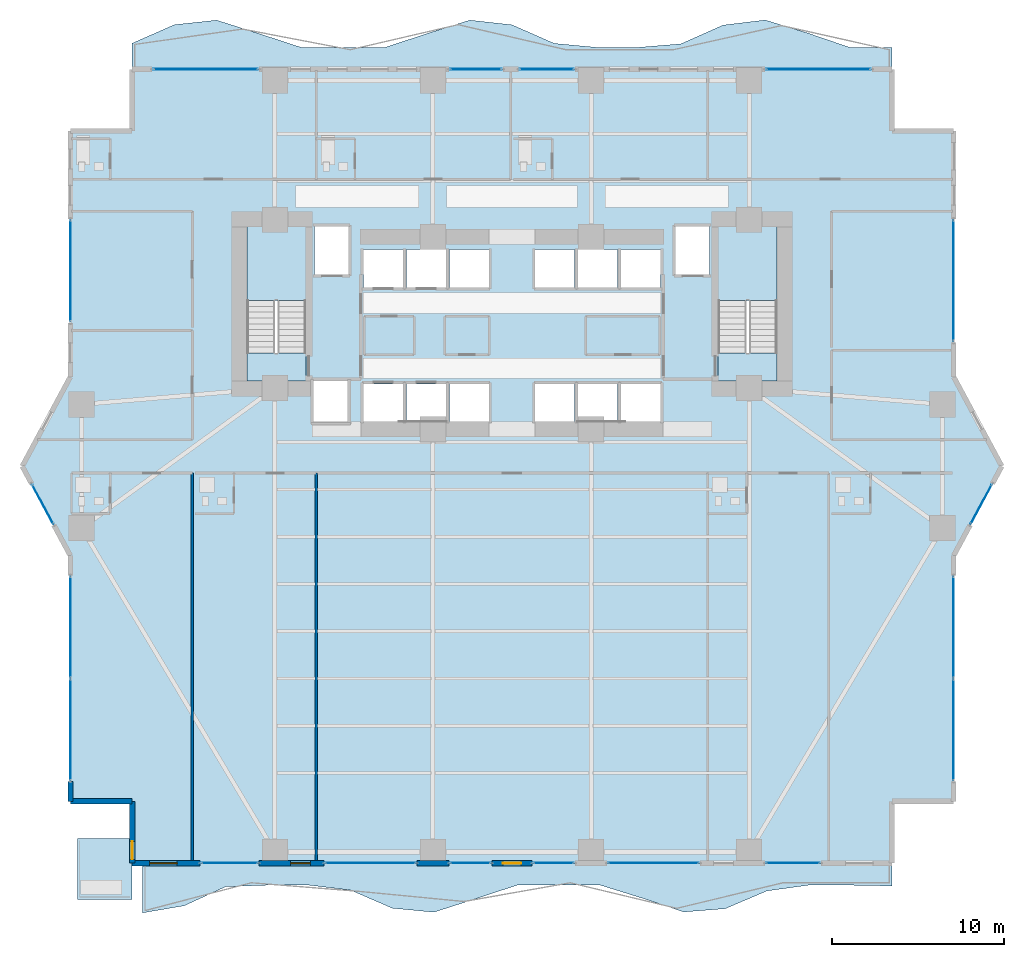
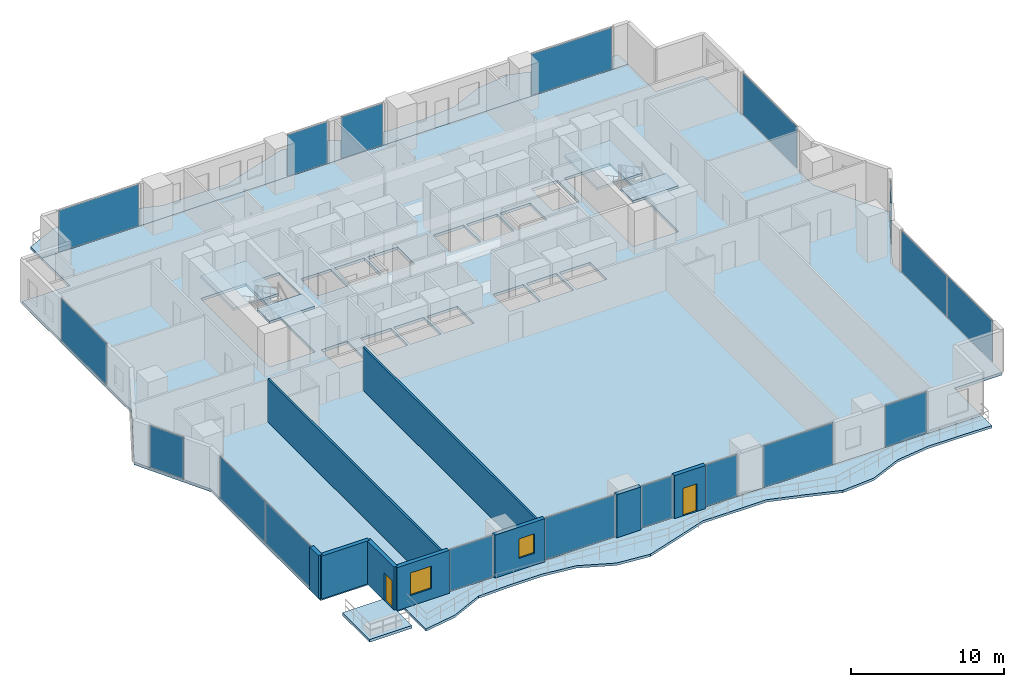
# One storey, part 18 of 28: 18 plates, 9 walls, 8 slabs, 2 doors, 2 windows, 4 openings, 18 elements without a shape of their own.
"""IFC4 building model written with IfcOpenShell, lengths in metres."""

from ifc_helpers import new_model, si_unit, direction, frame, frame_2d, origin, origin_2d, place, context, subcontext, project, spatial, polyline, rectangle, outline, extrude, material, layer, layer_set, type_object, element, fill, aggregate, save


model = new_model("IFC4")

# Units and contexts
model_context = context("Model", 3, precision=1e-05, world=origin(), true_north=direction((0.0, 1.0)))
body_context = subcontext(model_context, "Body", "Model", "MODEL_VIEW")
ifc_project = project(units=[si_unit("LENGTHUNIT", "METRE"), si_unit("AREAUNIT", "SQUARE_METRE"), si_unit("VOLUMEUNIT", "CUBIC_METRE"), si_unit("PLANEANGLEUNIT", "RADIAN"), si_unit("MASSUNIT", "GRAM", prefix="KILO")], contexts=[model_context])

# Site, building, storey
site_placement = place(None, origin())
site = spatial("IfcSite", under=ifc_project, at=site_placement, CompositionType="ELEMENT")
building_placement = place(site_placement, origin())
building = spatial("IfcBuilding", under=site, at=building_placement, Name="Zuhayl Quay Hotel", CompositionType="ELEMENT")
storey_placement = place(building_placement, frame((0.0, 0.0, 71.39990234375)))
storey = spatial("IfcBuildingStorey", under=building, at=storey_placement, Name="L17", CompositionType="ELEMENT", Elevation=71.39990234375)

# Curtain wall, plates
ifc_material_1 = material(Name="Anodised Aluminium 6063-T6", Category="aluminium")
ifc_layer_1 = layer(ifc_material_1, 0.18994140625, Name="Anodised Aluminium 6063-T6", Category="aluminium")
ifc_layer_set_1 = layer_set([ifc_layer_1], Name="Anodised Aluminium 6063-T6")
curtain_wall_type = type_object("IfcCurtainWallType", Name="CW_SYS_Z1", PredefinedType="USERDEFINED", material=ifc_layer_set_1)
curtain_wall_1_placement = place(storey_placement, origin())
curtain_wall_1 = element("IfcCurtainWall", 1, at=curtain_wall_1_placement, inside=storey, type_object=curtain_wall_type, Name="L17 Curtain Wall ENV_L17_E02_CW1", ObjectType="UNITISED CURTAIN WALL", PredefinedType="USERDEFINED")
ifc_material_2 = material(Name="Dark Ceramic-Fritted Solar Glass", Category="glass")
ifc_layer_2 = layer(ifc_material_2, 0.035888671875, Name="Dark Ceramic-Fritted Solar Glass", Category="glass")
ifc_layer_set_2 = layer_set([ifc_layer_2], Name="Dark Ceramic-Fritted Solar Glass")
plate_type = type_object("IfcPlateType", Name="PN_DARK_FRIT_Z1", PredefinedType="CURTAIN_PANEL", material=ifc_layer_set_2)
plate_1_placement = place(storey_placement, frame((-25.699951171875, -15.331298828125, 0.06005859375), z_axis=(0.0, 0.0, 1.0), x_axis=(0.0, 1.0, 0.0)))
plate_1 = element("IfcPlate", 2, at=plate_1_placement, type_object=plate_type, Name="CW-Z1 panel 1.1", PredefinedType="CURTAIN_PANEL", context=body_context, shape_type="SweptSolid", body=[
    extrude(rectangle(XDim=5.887451171875, YDim=0.035888671875, at=origin_2d()), origin(), (0.0, 0.0, 1.0), 3.31005859375),
])
plate_2_placement = place(storey_placement, frame((-25.699951171875, -9.36865234375, 0.06005859375), z_axis=(0.0, 0.0, 1.0), x_axis=(0.0, 1.0, 0.0)))
plate_2 = element("IfcPlate", 3, at=plate_2_placement, type_object=plate_type, Name="CW-Z1 panel 2.1", PredefinedType="CURTAIN_PANEL", context=body_context, shape_type="SweptSolid", body=[
    extrude(rectangle(XDim=5.887451171875, YDim=0.035888671875, at=origin_2d()), origin(), (0.0, 0.0, 1.0), 3.31005859375),
])
aggregate(curtain_wall_1, [plate_1, plate_2])

# Curtain wall, plate
curtain_wall_2_placement = place(storey_placement, origin())
curtain_wall_2 = element("IfcCurtainWall", 4, at=curtain_wall_2_placement, inside=storey, type_object=curtain_wall_type, Name="L17 Curtain Wall ENV_L17_E03_CW1", ObjectType="UNITISED CURTAIN WALL", PredefinedType="USERDEFINED")
plate_3_placement = place(storey_placement, frame((-27.306396484375, -2.216796875, 0.06005859375), z_axis=(0.0, 0.0, 1.0), x_axis=(-0.474091102632, 0.880475795468, 0.0)))
plate_3 = element("IfcPlate", 5, at=plate_3_placement, type_object=plate_type, Name="CW-Z1 panel 1.1", PredefinedType="CURTAIN_PANEL", context=body_context, shape_type="SweptSolid", body=[
    extrude(rectangle(XDim=2.58544921875, YDim=0.035888671875, at=origin_2d()), origin(), (0.0, 0.0, 1.0), 3.31005859375),
])
aggregate(curtain_wall_2, [plate_3])

curtain_wall_3_placement = place(storey_placement, origin())
curtain_wall_3 = element("IfcCurtainWall", 6, at=curtain_wall_3_placement, inside=storey, type_object=curtain_wall_type, Name="L17 Curtain Wall ENV_L17_E05_CW1", ObjectType="UNITISED CURTAIN WALL", PredefinedType="USERDEFINED")
plate_4_placement = place(storey_placement, frame((-25.699951171875, 11.375, 0.06005859375), z_axis=(0.0, 0.0, 1.0), x_axis=(0.0, 1.0, 0.0)))
plate_4 = element("IfcPlate", 7, at=plate_4_placement, type_object=plate_type, Name="CW-Z1 panel 1.1", PredefinedType="CURTAIN_PANEL", context=body_context, shape_type="SweptSolid", body=[
    extrude(rectangle(XDim=5.89990234375, YDim=0.035888671875, at=origin_2d()), origin(), (0.0, 0.0, 1.0), 3.31005859375),
])
aggregate(curtain_wall_3, [plate_4])

curtain_wall_4_placement = place(storey_placement, origin())
curtain_wall_4 = element("IfcCurtainWall", 8, at=curtain_wall_4_placement, inside=storey, type_object=curtain_wall_type, Name="L17 Curtain Wall ENV_L17_N_CW1", ObjectType="UNITISED CURTAIN WALL", PredefinedType="USERDEFINED")
plate_5_placement = place(storey_placement, frame((-17.8349609375, 23.10009765625, 0.06005859375), z_axis=(0.0, 0.0, 1.0), x_axis=(1.0, 0.0, 0.0)))
plate_5 = element("IfcPlate", 9, at=plate_5_placement, type_object=plate_type, Name="CW-Z1 panel 1.1", PredefinedType="CURTAIN_PANEL", context=body_context, shape_type="SweptSolid", body=[
    extrude(rectangle(XDim=6.080078125, YDim=0.035888671875, at=origin_2d()), origin(), (0.0, 0.0, 1.0), 3.31005859375),
])
aggregate(curtain_wall_4, [plate_5])

curtain_wall_5_placement = place(storey_placement, origin())
curtain_wall_5 = element("IfcCurtainWall", 10, at=curtain_wall_5_placement, inside=storey, type_object=curtain_wall_type, Name="L17 Curtain Wall ENV_L17_N_CW2", ObjectType="UNITISED CURTAIN WALL", PredefinedType="USERDEFINED")
plate_6_placement = place(storey_placement, frame((-2.10498046875, 23.10009765625, 0.06005859375), z_axis=(0.0, 0.0, 1.0), x_axis=(1.0, 0.0, 0.0)))
plate_6 = element("IfcPlate", 11, at=plate_6_placement, type_object=plate_type, Name="CW-Z1 panel 1.1", PredefinedType="CURTAIN_PANEL", context=body_context, shape_type="SweptSolid", body=[
    extrude(rectangle(XDim=3.0, YDim=0.035888671875, at=origin_2d()), origin(), (0.0, 0.0, 1.0), 3.31005859375),
])
aggregate(curtain_wall_5, [plate_6])

curtain_wall_6_placement = place(storey_placement, origin())
curtain_wall_6 = element("IfcCurtainWall", 12, at=curtain_wall_6_placement, inside=storey, type_object=curtain_wall_type, Name="L17 Curtain Wall ENV_L17_N_CW3", ObjectType="UNITISED CURTAIN WALL", PredefinedType="USERDEFINED")
plate_7_placement = place(storey_placement, frame((2.02490234375, 23.10009765625, 0.06005859375), z_axis=(0.0, 0.0, 1.0), x_axis=(1.0, 0.0, 0.0)))
plate_7 = element("IfcPlate", 13, at=plate_7_placement, type_object=plate_type, Name="CW-Z1 panel 1.1", PredefinedType="CURTAIN_PANEL", context=body_context, shape_type="SweptSolid", body=[
    extrude(rectangle(XDim=3.159912109375, YDim=0.035888671875, at=origin_2d()), origin(), (0.0, 0.0, 1.0), 3.31005859375),
])
aggregate(curtain_wall_6, [plate_7])

curtain_wall_7_placement = place(storey_placement, origin())
curtain_wall_7 = element("IfcCurtainWall", 14, at=curtain_wall_7_placement, inside=storey, type_object=curtain_wall_type, Name="L17 Curtain Wall ENV_L17_N_CW4", ObjectType="UNITISED CURTAIN WALL", PredefinedType="USERDEFINED")
plate_8_placement = place(storey_placement, frame((17.8349609375, 23.10009765625, 0.06005859375), z_axis=(0.0, 0.0, 1.0), x_axis=(1.0, 0.0, 0.0)))
plate_8 = element("IfcPlate", 15, at=plate_8_placement, type_object=plate_type, Name="CW-Z1 panel 1.1", PredefinedType="CURTAIN_PANEL", context=body_context, shape_type="SweptSolid", body=[
    extrude(rectangle(XDim=6.080078125, YDim=0.035888671875, at=origin_2d()), origin(), (0.0, 0.0, 1.0), 3.31005859375),
])
aggregate(curtain_wall_7, [plate_8])

curtain_wall_8_placement = place(storey_placement, origin())
curtain_wall_8 = element("IfcCurtainWall", 16, at=curtain_wall_8_placement, inside=storey, type_object=curtain_wall_type, Name="L17 Curtain Wall ENV_L17_E11_CW1", ObjectType="UNITISED CURTAIN WALL", PredefinedType="USERDEFINED")
plate_9_placement = place(storey_placement, frame((25.699951171875, 10.800048828125, 0.06005859375), z_axis=(0.0, 0.0, 1.0), x_axis=(0.0, -1.0, 0.0)))
plate_9 = element("IfcPlate", 17, at=plate_9_placement, type_object=plate_type, Name="CW-Z1 panel 1.1", PredefinedType="CURTAIN_PANEL", context=body_context, shape_type="SweptSolid", body=[
    extrude(rectangle(XDim=7.050048828125, YDim=0.035888671875, at=origin_2d()), origin(), (0.0, 0.0, 1.0), 3.31005859375),
])
aggregate(curtain_wall_8, [plate_9])

curtain_wall_9_placement = place(storey_placement, origin())
curtain_wall_9 = element("IfcCurtainWall", 18, at=curtain_wall_9_placement, inside=storey, type_object=curtain_wall_type, Name="L17 Curtain Wall ENV_L17_E13_CW1", ObjectType="UNITISED CURTAIN WALL", PredefinedType="USERDEFINED")
plate_10_placement = place(storey_placement, frame((27.306396484375, -2.216796875, 0.06005859375), z_axis=(0.0, 0.0, 1.0), x_axis=(-0.474091102632, -0.880475795468, 0.0)))
plate_10 = element("IfcPlate", 19, at=plate_10_placement, type_object=plate_type, Name="CW-Z1 panel 1.1", PredefinedType="CURTAIN_PANEL", context=body_context, shape_type="SweptSolid", body=[
    extrude(rectangle(XDim=2.58544921875, YDim=0.035888671875, at=origin_2d()), origin(), (0.0, 0.0, 1.0), 3.31005859375),
])
aggregate(curtain_wall_9, [plate_10])

# Curtain wall, plates
curtain_wall_10_placement = place(storey_placement, origin())
curtain_wall_10 = element("IfcCurtainWall", 20, at=curtain_wall_10_placement, inside=storey, type_object=curtain_wall_type, Name="L17 Curtain Wall ENV_L17_E14_CW1", ObjectType="UNITISED CURTAIN WALL", PredefinedType="USERDEFINED")
plate_11_placement = place(storey_placement, frame((25.699951171875, -9.36865234375, 0.06005859375), z_axis=(0.0, 0.0, 1.0), x_axis=(0.0, -1.0, 0.0)))
plate_11 = element("IfcPlate", 21, at=plate_11_placement, type_object=plate_type, Name="CW-Z1 panel 1.1", PredefinedType="CURTAIN_PANEL", context=body_context, shape_type="SweptSolid", body=[
    extrude(rectangle(XDim=5.887451171875, YDim=0.035888671875, at=origin_2d()), origin(), (0.0, 0.0, 1.0), 3.31005859375),
])
plate_12_placement = place(storey_placement, frame((25.699951171875, -15.331298828125, 0.06005859375), z_axis=(0.0, 0.0, 1.0), x_axis=(0.0, -1.0, 0.0)))
plate_12 = element("IfcPlate", 22, at=plate_12_placement, type_object=plate_type, Name="CW-Z1 panel 2.1", PredefinedType="CURTAIN_PANEL", context=body_context, shape_type="SweptSolid", body=[
    extrude(rectangle(XDim=5.887451171875, YDim=0.035888671875, at=origin_2d()), origin(), (0.0, 0.0, 1.0), 3.31005859375),
])
aggregate(curtain_wall_10, [plate_11, plate_12])

# Curtain wall, plate
curtain_wall_11_placement = place(storey_placement, origin())
curtain_wall_11 = element("IfcCurtainWall", 23, at=curtain_wall_11_placement, inside=storey, type_object=curtain_wall_type, Name="L17 Curtain Wall ENV_L17_S_CW1", ObjectType="UNITISED CURTAIN WALL", PredefinedType="USERDEFINED")
plate_13_placement = place(storey_placement, frame((16.35498046875, -23.10009765625, 0.06005859375), z_axis=(0.0, 0.0, 1.0), x_axis=(-1.0, 0.0, 0.0)))
plate_13 = element("IfcPlate", 24, at=plate_13_placement, type_object=plate_type, Name="CW-Z1 panel 1.1", PredefinedType="CURTAIN_PANEL", context=body_context, shape_type="SweptSolid", body=[
    extrude(rectangle(XDim=3.1201171875, YDim=0.035888671875, at=origin_2d()), origin(), (0.0, 0.0, 1.0), 3.31005859375),
])
aggregate(curtain_wall_11, [plate_13])

curtain_wall_12_placement = place(storey_placement, origin())
curtain_wall_12 = element("IfcCurtainWall", 25, at=curtain_wall_12_placement, inside=storey, type_object=curtain_wall_type, Name="L17 Curtain Wall ENV_L17_S_CW2", ObjectType="UNITISED CURTAIN WALL", PredefinedType="USERDEFINED")
plate_14_placement = place(storey_placement, frame((8.235107421875, -23.10009765625, 0.06005859375), z_axis=(0.0, 0.0, 1.0), x_axis=(-1.0, 0.0, 0.0)))
plate_14 = element("IfcPlate", 26, at=plate_14_placement, type_object=plate_type, Name="CW-Z1 panel 1.1", PredefinedType="CURTAIN_PANEL", context=body_context, shape_type="SweptSolid", body=[
    extrude(rectangle(XDim=5.280029296875, YDim=0.035888671875, at=origin_2d()), origin(), (0.0, 0.0, 1.0), 3.31005859375),
])
aggregate(curtain_wall_12, [plate_14])

curtain_wall_13_placement = place(storey_placement, origin())
curtain_wall_13 = element("IfcCurtainWall", 27, at=curtain_wall_13_placement, inside=storey, type_object=curtain_wall_type, Name="L17 Curtain Wall ENV_L17_S_CW3", ObjectType="UNITISED CURTAIN WALL", PredefinedType="USERDEFINED")
plate_15_placement = place(storey_placement, frame((2.427490234375, -23.10009765625, 0.06005859375), z_axis=(0.0, 0.0, 1.0), x_axis=(-1.0, 0.0, 0.0)))
plate_15 = element("IfcPlate", 28, at=plate_15_placement, type_object=plate_type, Name="CW-Z1 panel 1.1", PredefinedType="CURTAIN_PANEL", context=body_context, shape_type="SweptSolid", body=[
    extrude(rectangle(XDim=2.35498046875, YDim=0.035888671875, at=origin_2d()), origin(), (0.0, 0.0, 1.0), 3.31005859375),
])
aggregate(curtain_wall_13, [plate_15])

curtain_wall_14_placement = place(storey_placement, origin())
curtain_wall_14 = element("IfcCurtainWall", 29, at=curtain_wall_14_placement, inside=storey, type_object=curtain_wall_type, Name="L17 Curtain Wall ENV_L17_S_CW4", ObjectType="UNITISED CURTAIN WALL", PredefinedType="USERDEFINED")
plate_16_placement = place(storey_placement, frame((-2.427490234375, -23.10009765625, 0.06005859375), z_axis=(0.0, 0.0, 1.0), x_axis=(-1.0, 0.0, 0.0)))
plate_16 = element("IfcPlate", 30, at=plate_16_placement, type_object=plate_type, Name="CW-Z1 panel 1.1", PredefinedType="CURTAIN_PANEL", context=body_context, shape_type="SweptSolid", body=[
    extrude(rectangle(XDim=2.35498046875, YDim=0.035888671875, at=origin_2d()), origin(), (0.0, 0.0, 1.0), 3.31005859375),
])
aggregate(curtain_wall_14, [plate_16])

curtain_wall_15_placement = place(storey_placement, origin())
curtain_wall_15 = element("IfcCurtainWall", 31, at=curtain_wall_15_placement, inside=storey, type_object=curtain_wall_type, Name="L17 Curtain Wall ENV_L17_S_CW5", ObjectType="UNITISED CURTAIN WALL", PredefinedType="USERDEFINED")
plate_17_placement = place(storey_placement, frame((-8.235107421875, -23.10009765625, 0.06005859375), z_axis=(0.0, 0.0, 1.0), x_axis=(-1.0, 0.0, 0.0)))
plate_17 = element("IfcPlate", 32, at=plate_17_placement, type_object=plate_type, Name="CW-Z1 panel 1.1", PredefinedType="CURTAIN_PANEL", context=body_context, shape_type="SweptSolid", body=[
    extrude(rectangle(XDim=5.280029296875, YDim=0.035888671875, at=origin_2d()), origin(), (0.0, 0.0, 1.0), 3.31005859375),
])
aggregate(curtain_wall_15, [plate_17])

curtain_wall_16_placement = place(storey_placement, origin())
curtain_wall_16 = element("IfcCurtainWall", 33, at=curtain_wall_16_placement, inside=storey, type_object=curtain_wall_type, Name="L17 Curtain Wall ENV_L17_S_CW6", ObjectType="UNITISED CURTAIN WALL", PredefinedType="USERDEFINED")
plate_18_placement = place(storey_placement, frame((-16.43505859375, -23.10009765625, 0.06005859375), z_axis=(0.0, 0.0, 1.0), x_axis=(-1.0, 0.0, 0.0)))
plate_18 = element("IfcPlate", 34, at=plate_18_placement, type_object=plate_type, Name="CW-Z1 panel 1.1", PredefinedType="CURTAIN_PANEL", context=body_context, shape_type="SweptSolid", body=[
    extrude(rectangle(XDim=3.280029296875, YDim=0.035888671875, at=origin_2d()), origin(), (0.0, 0.0, 1.0), 3.31005859375),
])
aggregate(curtain_wall_16, [plate_18])

# Slabs
ifc_material_3 = material(Name="Concrete C45/55", Category="concrete")
ifc_layer_3 = layer(ifc_material_3, 0.195068359375, Name="Concrete C45/55", Category="concrete")
ifc_layer_set_3 = layer_set([ifc_layer_3], Name="Concrete C45/55")
slab_type_1 = type_object("IfcSlabType", Name="SL_BALCONY_195", PredefinedType="FLOOR", material=ifc_layer_set_3)
slab_1_placement = place(storey_placement, frame((0.0, 0.0, -0.19482421875)))
element("IfcSlab", 35, at=slab_1_placement, inside=storey, type_object=slab_type_1, Name="L17 Exterior Rippling Balcony Slab North", PredefinedType="FLOOR", context=body_context, shape_type="SweptSolid", body=[
    extrude(outline(polyline([(-22.10009765625, 23.10009765625), (22.10009765625, 23.10009765625), (22.10009765625, 24.3798828125), (19.644287109375, 24.3798828125), (17.18896484375, 25.21826171875), (14.7333984375, 25.96923828125), (12.27783203125, 25.671630859375), (9.822265625, 24.581298828125), (7.36669921875, 24.3798828125), (4.9111328125, 24.3798828125), (2.45556640625, 24.6083984375), (0.0, 25.689697265625), (-2.45556640625, 25.962890625), (-4.9111328125, 25.19287109375), (-7.36669921875, 24.3798828125), (-9.822265625, 24.3798828125), (-12.27783203125, 24.3798828125), (-14.7333984375, 25.1826171875), (-17.18896484375, 25.960205078125), (-19.644287109375, 25.697021484375), (-22.10009765625, 24.619384765625), (-22.10009765625, 23.10009765625)])), origin(), (0.0, 0.0, 1.0), 0.19482421875),
])
slab_2_placement = place(storey_placement, frame((0.0, 0.0, -0.19482421875)))
element("IfcSlab", 36, at=slab_2_placement, inside=storey, type_object=slab_type_1, Name="L17 Exterior Rippling Balcony Slab South", PredefinedType="FLOOR", context=body_context, shape_type="SweptSolid", body=[
    extrude(outline(polyline([(-21.5, -25.9931640625), (-19.077880859375, -25.578369140625), (-16.655517578125, -24.46875), (-14.2333984375, -24.3798828125), (-11.81103515625, -24.3798828125), (-9.388916015625, -24.673583984375), (-6.966796875, -25.721435546875), (-4.54443359375, -25.95458984375), (-2.122314453125, -25.177490234375), (0.300048828125, -24.3798828125), (2.72216796875, -24.3798828125), (5.144287109375, -24.3798828125), (7.566650390625, -25.13623046875), (9.989013671875, -25.942138671875), (12.4111328125, -25.748291015625), (14.833251953125, -24.71728515625), (17.255615234375, -24.3798828125), (19.677734375, -24.3798828125), (22.10009765625, -24.426513671875), (22.10009765625, -23.10009765625), (-21.5, -23.10009765625), (-21.5, -25.9931640625)])), origin(), (0.0, 0.0, 1.0), 0.19482421875),
])
ifc_layer_4 = layer(ifc_material_3, 0.219970703125, Name="Concrete C45/55", Category="concrete")
ifc_layer_set_4 = layer_set([ifc_layer_4], Name="Concrete C45/55")
slab_type_2 = type_object("IfcSlabType", Name="SL_FLOOR_220", PredefinedType="FLOOR", material=ifc_layer_set_4)
slab_3_placement = place(storey_placement, frame((0.0, 0.0, -0.219970703125)))
element("IfcSlab", 37, at=slab_3_placement, inside=storey, type_object=slab_type_2, Name="L17 Structural Floor Slab", PredefinedType="FLOOR", context=body_context, shape_type="SweptSolid", body=[
    extrude(outline(polyline([(-22.10009765625, -23.10009765625), (22.10009765625, -23.10009765625), (22.10009765625, -19.5), (25.699951171875, -19.5), (25.699951171875, -5.199951171875), (28.5, 0.0), (25.699951171875, 5.199951171875), (25.699951171875, 19.5), (22.10009765625, 19.5), (22.10009765625, 23.10009765625), (-22.10009765625, 23.10009765625), (-22.10009765625, 19.5), (-25.699951171875, 19.5), (-25.699951171875, 5.199951171875), (-28.5, 0.0), (-25.699951171875, -5.199951171875), (-25.699951171875, -19.5), (-22.10009765625, -19.5), (-22.10009765625, -23.10009765625)]), holes=[polyline([(-12.0, 4.949951171875), (-12.0, 13.949951171875), (-15.429931640625, 13.949951171875), (-15.429931640625, 4.949951171875), (-12.0, 4.949951171875)]), polyline([(15.429931640625, 4.949951171875), (15.429931640625, 13.949951171875), (12.0, 13.949951171875), (12.0, 4.949951171875), (15.429931640625, 4.949951171875)]), polyline([(-11.5, 11.14990234375), (-9.5, 11.14990234375), (-9.5, 13.949951171875), (-11.5, 13.949951171875), (-11.5, 11.14990234375)]), polyline([(9.5, 11.14990234375), (11.5, 11.14990234375), (11.5, 13.949951171875), (9.5, 13.949951171875), (9.5, 11.14990234375)]), polyline([(-8.64990234375, 2.60009765625), (-6.35009765625, 2.60009765625), (-6.35009765625, 4.800048828125), (-8.64990234375, 4.800048828125), (-8.64990234375, 2.60009765625)]), polyline([(-6.14990234375, 2.60009765625), (-3.85009765625, 2.60009765625), (-3.85009765625, 4.800048828125), (-6.14990234375, 4.800048828125), (-6.14990234375, 2.60009765625)]), polyline([(-8.64990234375, 10.39990234375), (-6.35009765625, 10.39990234375), (-6.35009765625, 12.60009765625), (-8.64990234375, 12.60009765625), (-8.64990234375, 10.39990234375)]), polyline([(-6.14990234375, 10.39990234375), (-3.85009765625, 10.39990234375), (-3.85009765625, 12.60009765625), (-6.14990234375, 12.60009765625), (-6.14990234375, 10.39990234375)]), polyline([(-3.64990234375, 2.60009765625), (-1.35009765625, 2.60009765625), (-1.35009765625, 4.800048828125), (-3.64990234375, 4.800048828125), (-3.64990234375, 2.60009765625)]), polyline([(1.35009765625, 2.60009765625), (3.64990234375, 2.60009765625), (3.64990234375, 4.800048828125), (1.35009765625, 4.800048828125), (1.35009765625, 2.60009765625)]), polyline([(-3.64990234375, 10.39990234375), (-1.35009765625, 10.39990234375), (-1.35009765625, 12.60009765625), (-3.64990234375, 12.60009765625), (-3.64990234375, 10.39990234375)]), polyline([(1.35009765625, 10.39990234375), (3.64990234375, 10.39990234375), (3.64990234375, 12.60009765625), (1.35009765625, 12.60009765625), (1.35009765625, 10.39990234375)]), polyline([(3.85009765625, 2.60009765625), (6.14990234375, 2.60009765625), (6.14990234375, 4.800048828125), (3.85009765625, 4.800048828125), (3.85009765625, 2.60009765625)]), polyline([(6.35009765625, 2.60009765625), (8.64990234375, 2.60009765625), (8.64990234375, 4.800048828125), (6.35009765625, 4.800048828125), (6.35009765625, 2.60009765625)]), polyline([(3.85009765625, 10.39990234375), (6.14990234375, 10.39990234375), (6.14990234375, 12.60009765625), (3.85009765625, 12.60009765625), (3.85009765625, 10.39990234375)]), polyline([(6.35009765625, 10.39990234375), (8.64990234375, 10.39990234375), (8.64990234375, 12.60009765625), (6.35009765625, 12.60009765625), (6.35009765625, 10.39990234375)]), polyline([(-11.550048828125, 2.550048828125), (-9.550048828125, 2.550048828125), (-9.550048828125, 4.949951171875), (-11.550048828125, 4.949951171875), (-11.550048828125, 2.550048828125)])]), origin(), (0.0, 0.0, 1.0), 0.219970703125),
])

# Stair, slabs
stair_type = type_object("IfcStairType", Name="ST_DOGLEG_TOWER", PredefinedType="HALF_TURN_STAIR", material=ifc_material_3)
stair_1_placement = place(storey_placement, origin())
stair_1 = element("IfcStair", 38, at=stair_1_placement, inside=storey, type_object=stair_type, Name="L17 Smokeproof Exit Stair ST1", PredefinedType="HALF_TURN_STAIR")
ifc_layer_5 = layer(ifc_material_3, 0.199951171875, Name="Concrete C45/55", Category="concrete")
ifc_layer_set_5 = layer_set([ifc_layer_5], Name="Concrete C45/55")
slab_type_3 = type_object("IfcSlabType", Name="SL_STAIR_LANDING_200", PredefinedType="LANDING", material=ifc_layer_set_5)
slab_4_placement = place(storey_placement, frame((0.0, 0.0, 1.625)))
slab_4 = element("IfcSlab", 39, at=slab_4_placement, type_object=slab_type_3, Name="ST1 landing 1", PredefinedType="LANDING", context=body_context, shape_type="SweptSolid", body=[
    extrude(outline(polyline([(-12.0, 9.64990234375), (-12.0, 13.949951171875), (-15.429931640625, 13.949951171875), (-15.429931640625, 9.64990234375), (-12.0, 9.64990234375)])), origin(), (0.0, 0.0, 1.0), 0.2001953125),
])
slab_5_placement = place(storey_placement, frame((0.0, 0.0, 3.4501953125)))
slab_5 = element("IfcSlab", 40, at=slab_5_placement, type_object=slab_type_3, Name="ST1 landing 2", PredefinedType="LANDING", context=body_context, shape_type="SweptSolid", body=[
    extrude(outline(polyline([(-12.0, 4.949951171875), (-12.0, 6.590087890625), (-15.429931640625, 6.590087890625), (-15.429931640625, 4.949951171875), (-12.0, 4.949951171875)])), origin(), (0.0, 0.0, 1.0), 0.199951171875),
])
aggregate(stair_1, [slab_4, slab_5])

stair_2_placement = place(storey_placement, origin())
stair_2 = element("IfcStair", 41, at=stair_2_placement, inside=storey, type_object=stair_type, Name="L17 Smokeproof Exit Stair ST2", PredefinedType="HALF_TURN_STAIR")
slab_6_placement = place(storey_placement, frame((0.0, 0.0, 1.625)))
slab_6 = element("IfcSlab", 42, at=slab_6_placement, type_object=slab_type_3, Name="ST2 landing 1", PredefinedType="LANDING", context=body_context, shape_type="SweptSolid", body=[
    extrude(outline(polyline([(15.429931640625, 9.64990234375), (15.429931640625, 13.949951171875), (12.0, 13.949951171875), (12.0, 9.64990234375), (15.429931640625, 9.64990234375)])), origin(), (0.0, 0.0, 1.0), 0.2001953125),
])
slab_7_placement = place(storey_placement, frame((0.0, 0.0, 3.4501953125)))
slab_7 = element("IfcSlab", 43, at=slab_7_placement, type_object=slab_type_3, Name="ST2 landing 2", PredefinedType="LANDING", context=body_context, shape_type="SweptSolid", body=[
    extrude(outline(polyline([(15.429931640625, 4.949951171875), (15.429931640625, 6.590087890625), (12.0, 6.590087890625), (12.0, 4.949951171875), (15.429931640625, 4.949951171875)])), origin(), (0.0, 0.0, 1.0), 0.199951171875),
])
aggregate(stair_2, [slab_6, slab_7])

# Slab
ifc_layer_6 = layer(ifc_material_3, 0.219970703125, Name="Concrete C45/55", Category="concrete")
ifc_layer_set_6 = layer_set([ifc_layer_6], Name="Concrete C45/55")
slab_type_4 = type_object("IfcSlabType", Name="SL_TERRACE_235", PredefinedType="FLOOR", material=ifc_layer_set_6)
slab_8_placement = place(storey_placement, frame((0.0, 0.0, -0.219970703125)))
element("IfcSlab", 44, at=slab_8_placement, inside=storey, type_object=slab_type_4, Name="L17 Exterior Sky-Terrace Slab L17_SPIRAL_SW", PredefinedType="FLOOR", context=body_context, shape_type="SweptSolid", body=[
    extrude(outline(polyline([(-25.300048828125, -25.199951171875), (-22.10009765625, -25.199951171875), (-22.10009765625, -21.64990234375), (-25.300048828125, -21.64990234375), (-25.300048828125, -25.199951171875)])), origin(), (0.0, 0.0, 1.0), 0.219970703125),
])

# Walls
ifc_material_4 = material(Name="Precast concrete C45/55", Category="concrete")
ifc_layer_7 = layer(ifc_material_4, 0.300048828125, Name="Precast concrete C45/55", Category="concrete")
ifc_layer_set_7 = layer_set([ifc_layer_7], Name="Precast concrete C45/55")
wall_type_1 = type_object("IfcWallType", Name="WL_EXT_300", PredefinedType="STANDARD", material=ifc_layer_set_7)
wall_1_placement = place(storey_placement, frame((-22.10009765625, -19.5, 0.0), z_axis=(0.0, 0.0, 1.0), x_axis=(-1.0, 0.0, 0.0)))
element("IfcWall", 45, at=wall_1_placement, inside=storey, type_object=wall_type_1, Name="L17 Exterior Precast Wall ENV_L17_EW01", PredefinedType="STANDARD", context=body_context, shape_type="SweptSolid", body=[
    extrude(rectangle(XDim=3.599853515625, YDim=0.300048828125, at=frame_2d((1.7998046875, 0.0))), origin(), (0.0, 0.0, 1.0), 3.43017578125),
])
wall_2_placement = place(storey_placement, frame((-25.699951171875, -19.5, 0.0), z_axis=(0.0, 0.0, 1.0), x_axis=(0.0, 1.0, 0.0)))
element("IfcWall", 46, at=wall_2_placement, inside=storey, type_object=wall_type_1, Name="L17 Exterior Precast Wall ENV_L17_E02_EW1", PredefinedType="STANDARD", context=body_context, shape_type="SweptSolid", body=[
    extrude(rectangle(XDim=1.14990234375, YDim=0.300048828125, at=frame_2d((0.574951171875, 0.0))), origin(), (0.0, 0.0, 1.0), 3.43017578125),
])

# Wall, opening, door
wall_3_placement = place(storey_placement, frame((1.175048828125, -23.10009765625, 0.0), z_axis=(0.0, 0.0, 1.0), x_axis=(-1.0, 0.0, 0.0)))
wall_3 = element("IfcWall", 47, at=wall_3_placement, inside=storey, type_object=wall_type_1, Name="L17 Exterior Precast Wall ENV_L17_S_EW4", PredefinedType="STANDARD", context=body_context, shape_type="SweptSolid", body=[
    extrude(rectangle(XDim=2.35009765625, YDim=0.300048828125, at=frame_2d((1.175048828125, 0.0))), origin(), (0.0, 0.0, 1.0), 3.43017578125),
])
opening_1_placement = place(wall_3_placement, frame((0.64990234375, 0.0, 0.0)))
opening_1 = element("IfcOpeningElement", 48, at=opening_1_placement, cuts=wall_3, Name="Opening DG1", PredefinedType="OPENING", context=body_context, shape_type="SweptSolid", body=[
    extrude(rectangle(XDim=1.050048828125, YDim=2.199951171875, at=frame_2d((0.52490234375, 1.10009765625))), frame((0.0, 0.159912109375, 0.0), z_axis=(0.0, -1.0, 0.0), x_axis=(1.0, 0.0, 0.0)), (0.0, 0.0, 1.0), 0.320068359375),
])
ifc_material_5 = material(Name="Anodised Aluminium and Dark Solar Glass", Category="aluminium")
door_type = type_object("IfcDoorType", Name="DR_EXT_TERR_1050", OperationType="NOTDEFINED", PredefinedType="DOOR", material=ifc_material_5)
door_1_placement = place(opening_1_placement, origin())
door_1 = element("IfcDoor", 49, at=door_1_placement, inside=storey, type_object=door_type, Name="L17 South Rippling Balcony Door", OperationType="SINGLE_SWING_RIGHT", OverallHeight=2.199951171875, OverallWidth=1.050048828125, PredefinedType="DOOR", context=body_context, shape_type="SweptSolid", body=[
    extrude(rectangle(XDim=1.050048828125, YDim=2.199951171875, at=frame_2d((0.52490234375, 1.10009765625))), frame((0.0, 0.02490234375, 0.0), z_axis=(0.0, -1.0, 0.0), x_axis=(1.0, 0.0, 0.0)), (0.0, 0.0, 1.0), 0.050048828125),
])
fill(opening_1, door_1)

# Wall
wall_4_placement = place(storey_placement, frame((-3.679931640625, -23.10009765625, 0.0), z_axis=(0.0, 0.0, 1.0), x_axis=(-1.0, 0.0, 0.0)))
element("IfcWall", 50, at=wall_4_placement, inside=storey, type_object=wall_type_1, Name="L17 Exterior Precast Wall ENV_L17_S_EW5", PredefinedType="STANDARD", context=body_context, shape_type="SweptSolid", body=[
    extrude(rectangle(XDim=1.840087890625, YDim=0.300048828125, at=frame_2d((0.919921875, 0.0))), origin(), (0.0, 0.0, 1.0), 3.43017578125),
])

# Wall, opening, window
wall_5_placement = place(storey_placement, frame((-10.949951171875, -23.10009765625, 0.0), z_axis=(0.0, 0.0, 1.0), x_axis=(-1.0, 0.0, 0.0)))
wall_5 = element("IfcWall", 51, at=wall_5_placement, inside=storey, type_object=wall_type_1, Name="L17 Exterior Precast Wall ENV_L17_S_EW6", PredefinedType="STANDARD", context=body_context, shape_type="SweptSolid", body=[
    extrude(rectangle(XDim=3.77001953125, YDim=0.300048828125, at=frame_2d((1.885009765625, 0.0))), origin(), (0.0, 0.0, 1.0), 3.43017578125),
])
opening_2_placement = place(wall_5_placement, frame((0.784912109375, 0.0, 0.949951171875)))
opening_2 = element("IfcOpeningElement", 52, at=opening_2_placement, cuts=wall_5, Name="Opening W01N", PredefinedType="OPENING", context=body_context, shape_type="SweptSolid", body=[
    extrude(rectangle(XDim=1.14990234375, YDim=1.550048828125, at=frame_2d((0.574951171875, 0.77490234375))), frame((0.0, 0.159912109375, 0.0), z_axis=(0.0, -1.0, 0.0), x_axis=(1.0, 0.0, 0.0)), (0.0, 0.0, 1.0), 0.320068359375),
])
window_type_1 = type_object("IfcWindowType", Name="WN_NOTCH_1350", PartitioningType="SINGLE_PANEL", PredefinedType="WINDOW", material=ifc_material_2)
window_1_placement = place(opening_2_placement, origin())
window_1 = element("IfcWindow", 53, at=window_1_placement, inside=storey, type_object=window_type_1, Name="L17 Operable Facade Window 6-1", OverallHeight=1.550048828125, OverallWidth=1.14990234375, PartitioningType="SINGLE_PANEL", PredefinedType="WINDOW", context=body_context, shape_type="SweptSolid", body=[
    extrude(rectangle(XDim=1.14990234375, YDim=1.550048828125, at=frame_2d((0.574951171875, 0.77490234375))), frame((0.0, 0.030029296875, 0.0), z_axis=(0.0, -1.0, 0.0), x_axis=(1.0, 0.0, 0.0)), (0.0, 0.0, 1.0), 0.06005859375),
])
fill(opening_2, window_1)

wall_6_placement = place(storey_placement, frame((-18.14990234375, -23.10009765625, 0.0), z_axis=(0.0, 0.0, 1.0), x_axis=(-1.0, 0.0, 0.0)))
wall_6 = element("IfcWall", 54, at=wall_6_placement, inside=storey, type_object=wall_type_1, Name="L17 Exterior Precast Wall ENV_L17_S_EW7", PredefinedType="STANDARD", context=body_context, shape_type="SweptSolid", body=[
    extrude(rectangle(XDim=3.9501953125, YDim=0.300048828125, at=frame_2d((1.97509765625, 0.0))), origin(), (0.0, 0.0, 1.0), 3.43017578125),
])
opening_3_placement = place(wall_6_placement, frame((1.340087890625, 0.0, 0.85009765625)))
opening_3 = element("IfcOpeningElement", 55, at=opening_3_placement, cuts=wall_6, Name="Opening W01", PredefinedType="OPENING", context=body_context, shape_type="SweptSolid", body=[
    extrude(rectangle(XDim=1.60009765625, YDim=1.800048828125, at=frame_2d((0.800048828125, 0.89990234375))), frame((0.0, 0.159912109375, 0.0), z_axis=(0.0, -1.0, 0.0), x_axis=(1.0, 0.0, 0.0)), (0.0, 0.0, 1.0), 0.320068359375),
])
window_type_2 = type_object("IfcWindowType", Name="WN_OPERABLE_1600", PartitioningType="DOUBLE_PANEL_VERTICAL", PredefinedType="WINDOW", material=ifc_material_2)
window_2_placement = place(opening_3_placement, origin())
window_2 = element("IfcWindow", 56, at=window_2_placement, inside=storey, type_object=window_type_2, Name="L17 Operable Facade Window 7-1", OverallHeight=1.800048828125, OverallWidth=1.60009765625, PartitioningType="SINGLE_PANEL", PredefinedType="WINDOW", context=body_context, shape_type="SweptSolid", body=[
    extrude(rectangle(XDim=1.60009765625, YDim=1.800048828125, at=frame_2d((0.800048828125, 0.89990234375))), frame((0.0, 0.030029296875, 0.0), z_axis=(0.0, -1.0, 0.0), x_axis=(1.0, 0.0, 0.0)), (0.0, 0.0, 1.0), 0.06005859375),
])
fill(opening_3, window_2)

# Wall, opening, door
wall_7_placement = place(storey_placement, frame((-22.10009765625, -23.10009765625, 0.0), z_axis=(0.0, 0.0, 1.0), x_axis=(0.0, 1.0, 0.0)))
wall_7 = element("IfcWall", 57, at=wall_7_placement, inside=storey, type_object=wall_type_1, Name="L17 Exterior Precast Wall ENV_L17_SP_SW", PredefinedType="STANDARD", context=body_context, shape_type="SweptSolid", body=[
    extrude(rectangle(XDim=3.60009765625, YDim=0.300048828125, at=frame_2d((1.800048828125, 0.0))), origin(), (0.0, 0.0, 1.0), 3.43017578125),
])
opening_4_placement = place(wall_7_placement, frame((0.219970703125, 0.0, 0.0)))
opening_4 = element("IfcOpeningElement", 58, at=opening_4_placement, cuts=wall_7, Name="Opening DG1", PredefinedType="OPENING", context=body_context, shape_type="SweptSolid", body=[
    extrude(rectangle(XDim=1.050048828125, YDim=2.199951171875, at=frame_2d((0.52490234375, 1.10009765625))), frame((0.0, 0.159912109375, 0.0), z_axis=(0.0, -1.0, 0.0), x_axis=(1.0, 0.0, 0.0)), (0.0, 0.0, 1.0), 0.320068359375),
])
door_2_placement = place(opening_4_placement, origin())
door_2 = element("IfcDoor", 59, at=door_2_placement, inside=storey, type_object=door_type, Name="L17 Spiral Sky-Terrace SW Access Door", OperationType="SINGLE_SWING_LEFT", OverallHeight=2.199951171875, OverallWidth=1.050048828125, PredefinedType="DOOR", context=body_context, shape_type="SweptSolid", body=[
    extrude(rectangle(XDim=1.050048828125, YDim=2.199951171875, at=frame_2d((0.52490234375, 1.10009765625))), frame((0.0, 0.02490234375, 0.0), z_axis=(0.0, -1.0, 0.0), x_axis=(1.0, 0.0, 0.0)), (0.0, 0.0, 1.0), 0.050048828125),
])
fill(opening_4, door_2)

# Walls
ifc_material_6 = material(Name="Acoustic Gypsum Partition STC-58")
ifc_layer_8 = layer(ifc_material_6, 0.14990234375, Name="Acoustic Gypsum Partition STC-58")
ifc_layer_set_8 = layer_set([ifc_layer_8], Name="Acoustic Gypsum Partition STC-58")
wall_type_2 = type_object("IfcWallType", Name="WL_PART_150", PredefinedType="PARTITIONING", material=ifc_layer_set_8)
for number, where, z_axis, x_axis, name in (
    (60, (-18.60009765625, -23.02001953125, 0.0), (0.0, 0.0, 1.0), (0.0, 1.0, 0.0), "L17 Partition IW_L17_SU01A_E"),
    (61, (-11.39990234375, -23.02001953125, 0.0), (0.0, 0.0, 1.0), (0.0, 1.0, 0.0), "L17 Partition IW_L17_SU01B_E"),
):
    element("IfcWall", number, at=place(storey_placement, frame(where, z_axis=z_axis, x_axis=x_axis)), inside=storey, type_object=wall_type_2, Name=name, PredefinedType="PARTITIONING", context=body_context, shape_type="SweptSolid", body=[
        extrude(rectangle(XDim=22.6201171875, YDim=0.14990234375, at=frame_2d((11.31005859375, 0.0))), origin(), (0.0, 0.0, 1.0), 3.43017578125),
    ])

save(model, "model.ifc")
